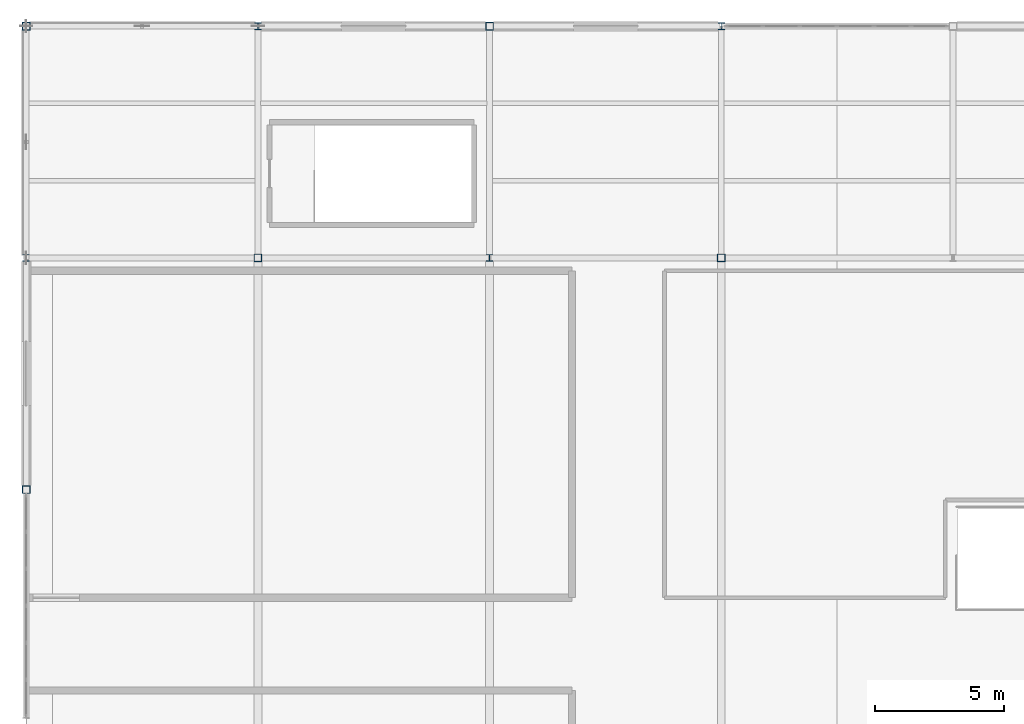
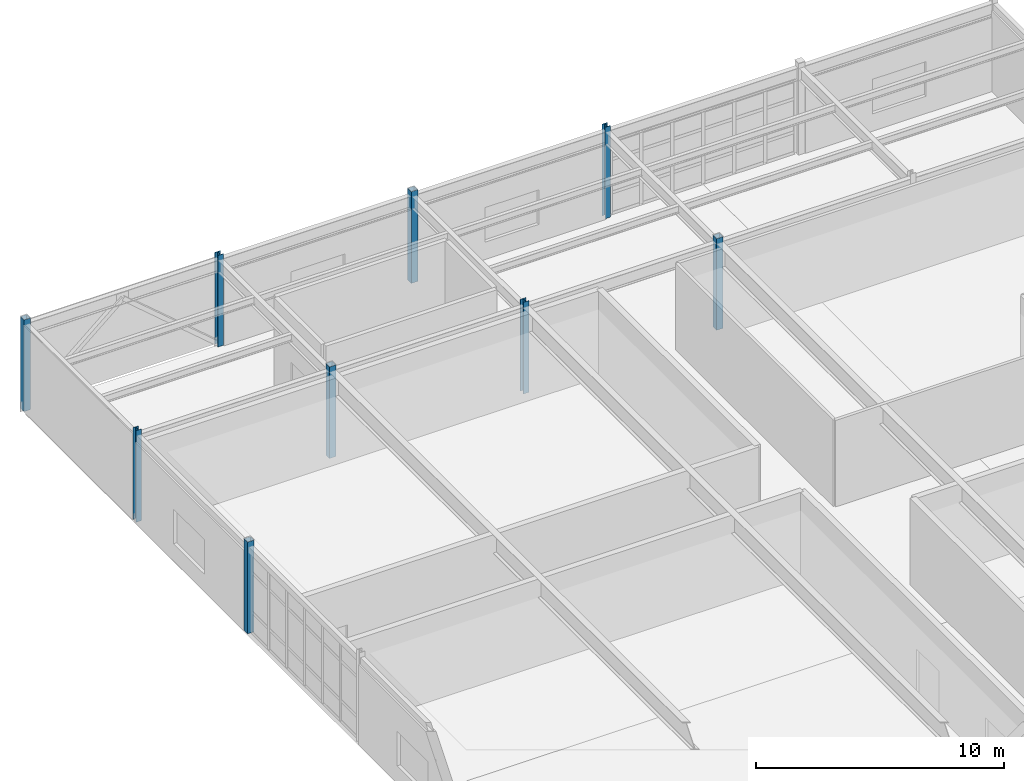
# One storey, part 10 of 81: 9 columns.
"""IFC4 building model written with IfcOpenShell, lengths in metres."""

from ifc_helpers import new_model, si_unit, direction, frame, origin, origin_2d, place, context, subcontext, project, spatial, hollow_rectangle, i_section, extrude, material, material_profile, profile_set, type_object, element, save


model = new_model("IFC4")

# Units and contexts
model_context = context("Model", 3, precision=1e-05, world=origin(), true_north=direction((0.0, 1.0)))
body_context = subcontext(model_context, "Body", "Model", "MODEL_VIEW")
ifc_project = project(units=[si_unit("LENGTHUNIT", "METRE"), si_unit("AREAUNIT", "SQUARE_METRE"), si_unit("VOLUMEUNIT", "CUBIC_METRE"), si_unit("PLANEANGLEUNIT", "RADIAN"), si_unit("MASSUNIT", "GRAM", prefix="KILO")], contexts=[model_context])

# Site, building, storey
site_placement = place(None, origin())
site = spatial("IfcSite", under=ifc_project, at=site_placement, CompositionType="ELEMENT")
building_placement = place(site_placement, origin())
building = spatial("IfcBuilding", under=site, at=building_placement, Name="Glasvene Arena", CompositionType="ELEMENT")
storey_placement = place(building_placement, frame((0.0, 0.0, 15.0)))
storey = spatial("IfcBuildingStorey", under=building, at=storey_placement, Name="L03", CompositionType="ELEMENT", Elevation=15.0)

# Columns
ifc_material = material(Name="Steel S355J2", Category="steel")
ifc_material_profile_1 = material_profile(ifc_material, hollow_rectangle(XDim=0.300048828125, YDim=0.300048828125, WallThickness=0.012451171875, at=origin_2d()), Name="SHS 300x300x12.5")
ifc_profile_set_1 = profile_set([ifc_material_profile_1], Name="Steel S355J2")
column_type_1 = type_object("IfcColumnType", Name="COL-W-SHS300", PredefinedType="COLUMN", material=ifc_profile_set_1)
for number, where, z_axis, x_axis, name in (
    (1, (0.0, 100.0, 0.0), (0.0, 0.0, 1.0), (1.0, 0.0, 0.0), "Grid column 1-12 L03"),
    (2, (0.0, 118.0, 0.0), (0.0, 0.0, 1.0), (1.0, 0.0, 0.0), "Grid column 1-14 L03"),
    (3, (9.0, 109.0, 0.0), (0.0, 0.0, 1.0), (1.0, 0.0, 0.0), "Grid column 2-13 L03"),
    (4, (18.0, 118.0, 0.0), (0.0, 0.0, 1.0), (1.0, 0.0, 0.0), "Grid column 3-14 L03"),
    (5, (27.0, 109.0, 0.0), (0.0, 0.0, 1.0), (1.0, 0.0, 0.0), "Grid column 4-13 L03"),
):
    element("IfcColumn", number, at=place(storey_placement, frame(where, z_axis=z_axis, x_axis=x_axis)), inside=storey, type_object=column_type_1, Name=name, PredefinedType="COLUMN", context=body_context, shape_type="SweptSolid", body=[
        extrude(hollow_rectangle(XDim=0.300048828125, YDim=0.300048828125, WallThickness=0.012451171875, at=origin_2d()), origin(), (0.0, 0.0, 1.0), 4.5),
    ])
ifc_material_profile_2 = material_profile(ifc_material, i_section(OverallWidth=0.25634765625, OverallDepth=0.26025390625, WebThickness=0.01025390625, FlangeThickness=0.017333984375, FilletRadius=0.0126953125, at=origin_2d()), Name="UKC 254x254x89")
ifc_profile_set_2 = profile_set([ifc_material_profile_2], Name="Steel S355J2")
column_type_2 = type_object("IfcColumnType", Name="COL-W-UKC89", PredefinedType="COLUMN", material=ifc_profile_set_2)
for number, where, z_axis, x_axis, name in (
    (6, (0.0, 109.0, 0.0), (0.0, 0.0, 1.0), (1.0, 0.0, 0.0), "Grid column 1-13 L03"),
    (7, (9.0, 118.0, 0.0), (0.0, 0.0, 1.0), (1.0, 0.0, 0.0), "Grid column 2-14 L03"),
    (8, (18.0, 109.0, 0.0), (0.0, 0.0, 1.0), (1.0, 0.0, 0.0), "Grid column 3-13 L03"),
    (9, (27.0, 118.0, 0.0), (0.0, 0.0, 1.0), (1.0, 0.0, 0.0), "Grid column 4-14 L03"),
):
    element("IfcColumn", number, at=place(storey_placement, frame(where, z_axis=z_axis, x_axis=x_axis)), inside=storey, type_object=column_type_2, Name=name, PredefinedType="COLUMN", context=body_context, shape_type="SweptSolid", body=[
        extrude(i_section(OverallWidth=0.25634765625, OverallDepth=0.26025390625, WebThickness=0.01025390625, FlangeThickness=0.017333984375, FilletRadius=0.0126953125, at=origin_2d()), origin(), (0.0, 0.0, 1.0), 4.5),
    ])

save(model, "model.ifc")
